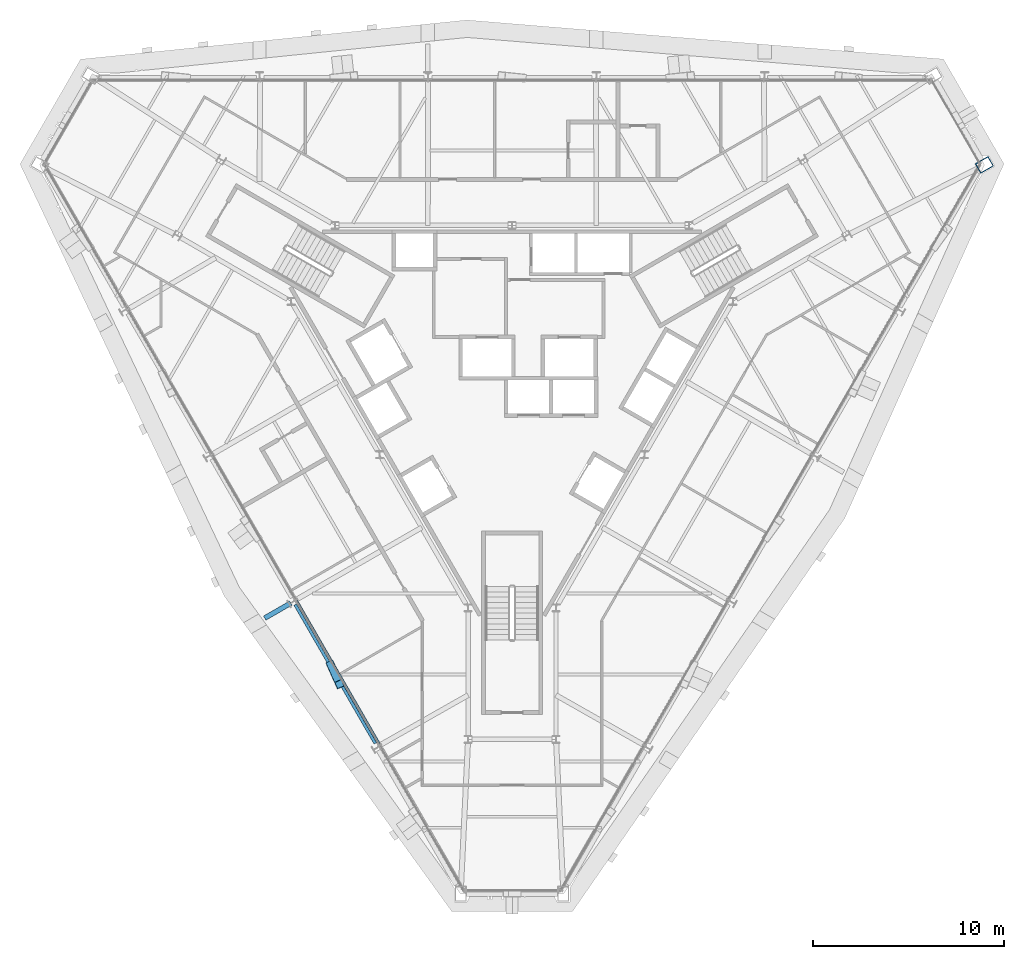
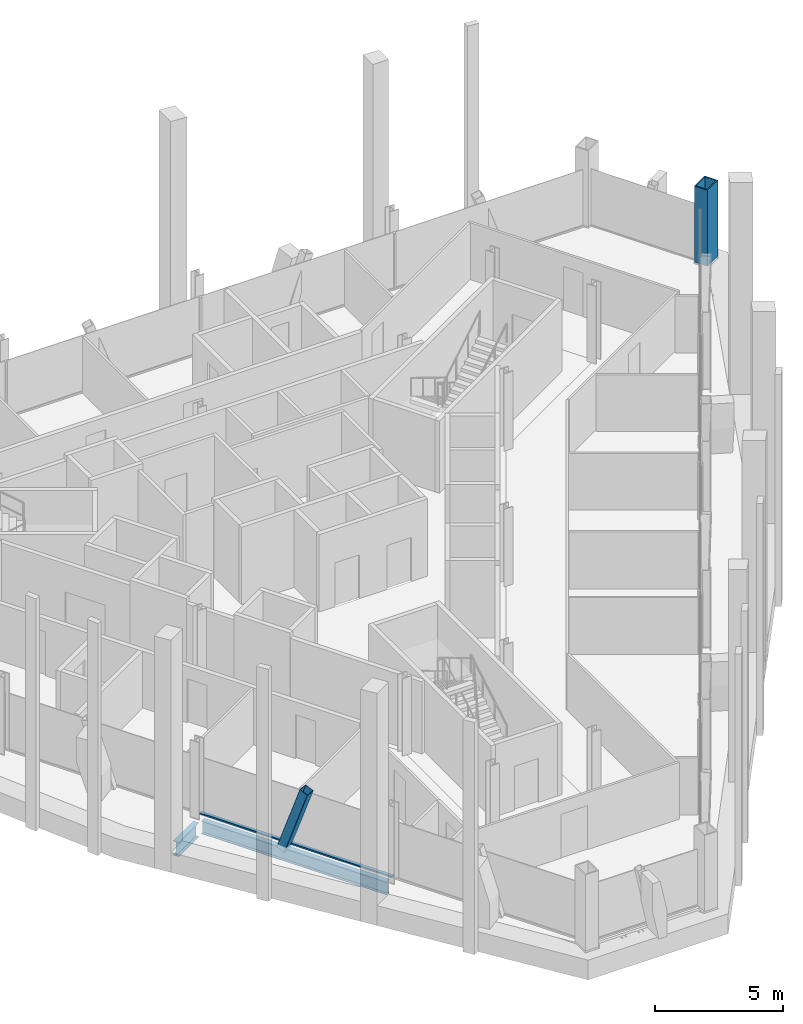
# One storey, part 2 of 14: 2 beams, 2 members, 1 column, 1 element without a shape of its own.
"""IFC4 building model written with IfcOpenShell, lengths in metres."""

from ifc_helpers import new_model, si_unit, direction, frame, origin, origin_2d, place, context, subcontext, project, spatial, rectangle, hollow_rectangle, i_section, extrude, material, material_profile, profile_set, type_object, element, aggregate, save


model = new_model("IFC4")

# Units and contexts
model_context = context("Model", 3, precision=1e-05, world=origin(), true_north=direction((0.0, 1.0)))
body_context = subcontext(model_context, "Body", "Model", "MODEL_VIEW")
ifc_project = project(units=[si_unit("LENGTHUNIT", "METRE"), si_unit("AREAUNIT", "SQUARE_METRE"), si_unit("VOLUMEUNIT", "CUBIC_METRE"), si_unit("PLANEANGLEUNIT", "RADIAN"), si_unit("MASSUNIT", "GRAM", prefix="KILO")], contexts=[model_context])

# Site, building, storey
site_placement = place(None, origin())
site = spatial("IfcSite", under=ifc_project, at=site_placement, CompositionType="ELEMENT")
building_placement = place(site_placement, origin())
building = spatial("IfcBuilding", under=site, at=building_placement, Name="Verrane Prism Tower", CompositionType="ELEMENT")
storey_placement = place(building_placement, frame((0.0, 0.0, 217.5)))
storey = spatial("IfcBuildingStorey", under=building, at=storey_placement, Name="L54", CompositionType="ELEMENT", Elevation=217.5)

# Column
ifc_material_1 = material(Name="Steel A572 Grade 50", Category="steel")
ifc_material_profile_1 = material_profile(ifc_material_1, hollow_rectangle(XDim=0.60009765625, YDim=0.800048828125, WallThickness=0.050048828125, at=origin_2d()), Name="BOX 800x600x50")
ifc_profile_set_1 = profile_set([ifc_material_profile_1], Name="Steel A572 Grade 50")
column_type = type_object("IfcColumnType", Name="Megacolumn BOX 800x600x50", PredefinedType="COLUMN", material=ifc_profile_set_1)
column_placement = place(storey_placement, frame((24.719970703125, 11.159912109375, 0.06494140625), z_axis=(0.0, 0.0, 1.0), x_axis=(0.5, -0.866025403784, 0.0)))
element("IfcColumn", 1, at=column_placement, inside=storey, type_object=column_type, Name="Megacolumn MC-NE.a L54", PredefinedType="COLUMN", context=body_context, shape_type="SweptSolid", body=[
    extrude(hollow_rectangle(XDim=0.60009765625, YDim=0.800048828125, WallThickness=0.050048828125, at=origin_2d()), origin(), (0.0, 0.0, 1.0), 3.635009765625),
])

# Member
ifc_material_2 = material(Name="Steel A500 Grade C", Category="steel")
ifc_material_profile_2 = material_profile(ifc_material_2, hollow_rectangle(XDim=0.406494140625, YDim=0.406494140625, WallThickness=0.01904296875, InnerFilletRadius=0.009521484375, OuterFilletRadius=0.028564453125, at=origin_2d()), Name="HSS16x16x3/4")
ifc_profile_set_2 = profile_set([ifc_material_profile_2], Name="Steel A500 Grade C")
member_type_1 = type_object("IfcMemberType", Name="Facade brace HSS16x16x3/4", PredefinedType="BRACE", material=ifc_profile_set_2)
member_1_placement = place(storey_placement, frame((-9.48876953125, -14.99658203125, -0.216796875), z_axis=(0.13443318803, -0.300671652841, 0.944205631806), x_axis=(0.912906300774, 0.408169187969, 0.0)))
element("IfcMember", 2, at=member_1_placement, inside=storey, type_object=member_type_1, Name="Facade brace SW3 L54", PredefinedType="BRACE", context=body_context, shape_type="SweptSolid", body=[
    extrude(hollow_rectangle(XDim=0.406494140625, YDim=0.406494140625, WallThickness=0.01904296875, InnerFilletRadius=0.009521484375, OuterFilletRadius=0.028564453125, at=origin_2d()), origin(), (0.0, 0.0, 1.0), 3.38525390625),
])

# Beams
ifc_material_3 = material(Name="Steel A992", Category="steel")
ifc_material_profile_3 = material_profile(ifc_material_3, i_section(OverallWidth=0.25390625, OverallDepth=0.683349609375, WebThickness=0.012451171875, FlangeThickness=0.01904296875, FilletRadius=0.01513671875, at=origin_2d()), Name="W27x94")
ifc_profile_set_3 = profile_set([ifc_material_profile_3], Name="Steel A992")
beam_type_1 = type_object("IfcBeamType", Name="Radial girder W27x94", PredefinedType="BEAM", material=ifc_profile_set_3)
beam_1_placement = place(storey_placement, frame((-11.57861328125, -11.769775390625, -0.5615234375), z_axis=(-0.866048680801, -0.499959680857, 0.0), x_axis=(0.499959680857, -0.866048680801, 0.0)))
element("IfcBeam", 3, at=beam_1_placement, inside=storey, type_object=beam_type_1, Name="Cantilever girder L54", PredefinedType="BEAM", context=body_context, shape_type="SweptSolid", body=[
    extrude(i_section(OverallWidth=0.25390625, OverallDepth=0.683349609375, WebThickness=0.012451171875, FlangeThickness=0.01904296875, FilletRadius=0.01513671875, at=origin_2d()), origin(), (0.0, 0.0, 1.0), 1.573974609375),
])
ifc_material_4 = material(Name="Steel A992", Category="steel")
ifc_material_profile_4 = material_profile(ifc_material_4, i_section(OverallWidth=0.23046875, OverallDepth=0.6171875, WebThickness=0.01318359375, FlangeThickness=0.022216796875, FilletRadius=0.012939453125, at=origin_2d()), Name="W24x94")
ifc_profile_set_4 = profile_set([ifc_material_profile_4], Name="Steel A992")
beam_type_2 = type_object("IfcBeamType", Name="Spandrel beam W24x94", PredefinedType="SPANDREL", material=ifc_profile_set_4)
beam_2_placement = place(storey_placement, frame((-11.315673828125, -11.83447265625, -0.468505859375), z_axis=(0.500272746416, -0.865867876291, 0.0), x_axis=(0.865867876291, 0.500272746416, 0.0)))
element("IfcBeam", 4, at=beam_2_placement, inside=storey, type_object=beam_type_2, Name="Spandrel beam L54", PredefinedType="SPANDREL", context=body_context, shape_type="SweptSolid", body=[
    extrude(i_section(OverallWidth=0.23046875, OverallDepth=0.6171875, WebThickness=0.01318359375, FlangeThickness=0.022216796875, FilletRadius=0.012939453125, at=origin_2d()), origin(), (0.0, 0.0, 1.0), 8.384033203125),
])

# Curtain wall, member
ifc_material_5 = material(Name="Aluminium framed insulated glazing", Category="aluminium")
curtain_wall_type = type_object("IfcCurtainWallType", Name="Curtain wall CW-A 8400 module", PredefinedType="NOTDEFINED", material=ifc_material_5)
curtain_wall_placement = place(storey_placement, origin())
curtain_wall = element("IfcCurtainWall", 5, at=curtain_wall_placement, inside=storey, type_object=curtain_wall_type, Name="Glazed curtain wall south-west face L54", PredefinedType="NOTDEFINED")
ifc_material_6 = material(Name="Aluminium alloy 6063-T6", Category="aluminium")
ifc_material_profile_5 = material_profile(ifc_material_6, rectangle(XDim=0.14990234375, YDim=0.070068359375, at=origin_2d()), Name="Transom 70x150 aluminium")
ifc_profile_set_5 = profile_set([ifc_material_profile_5], Name="Aluminium alloy 6063-T6")
member_type_2 = type_object("IfcMemberType", Name="Transom 70x150 aluminium", PredefinedType="USERDEFINED", material=ifc_profile_set_5)
member_2_placement = place(storey_placement, frame((-11.298583984375, -11.634033203125, 0.034912109375), z_axis=(0.50001192258, -0.86601852017, 0.0), x_axis=(0.86601852017, 0.50001192258, 0.0)))
member_2 = element("IfcMember", 6, at=member_2_placement, type_object=member_type_2, Name="CW54.4 transom 4", ObjectType="TRANSOM", PredefinedType="USERDEFINED", context=body_context, shape_type="SweptSolid", body=[
    extrude(rectangle(XDim=0.14990234375, YDim=0.070068359375, at=origin_2d()), origin(), (0.0, 0.0, 1.0), 8.712158203125),
])
aggregate(curtain_wall, [member_2])

save(model, "model.ifc")
